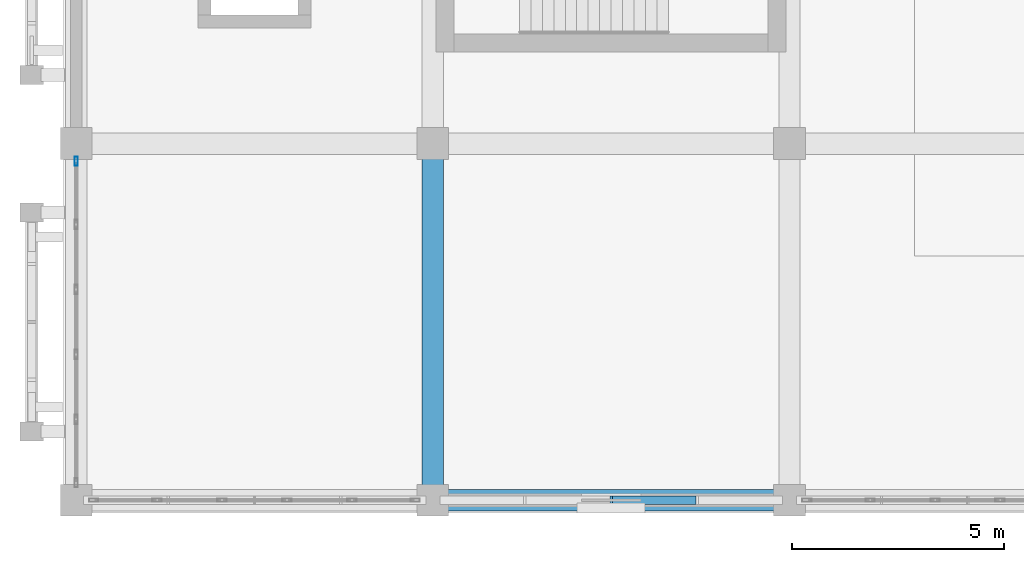
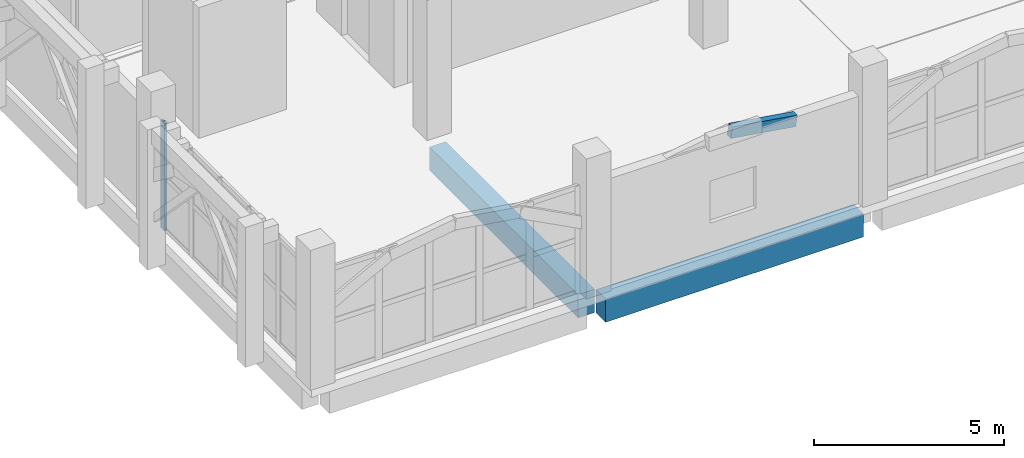
# One storey, part 3 of 34: 2 beams, 2 members, 1 element without a shape of its own.
"""IFC4 building model written with IfcOpenShell, lengths in metres."""

from ifc_helpers import new_model, si_unit, direction, frame, origin, origin_2d, place, context, subcontext, project, spatial, rectangle, hollow_rectangle, extrude, material, layer, layer_set, material_profile, profile_set, type_object, element, aggregate, save


model = new_model("IFC4")

# Units and contexts
model_context = context("Model", 3, precision=1e-05, world=origin(), true_north=direction((0.0, 1.0)))
body_context = subcontext(model_context, "Body", "Model", "MODEL_VIEW")
ifc_project = project(units=[si_unit("LENGTHUNIT", "METRE"), si_unit("AREAUNIT", "SQUARE_METRE"), si_unit("VOLUMEUNIT", "CUBIC_METRE"), si_unit("PLANEANGLEUNIT", "RADIAN"), si_unit("MASSUNIT", "GRAM", prefix="KILO")], contexts=[model_context])

# Site, building, storey
site_placement = place(None, origin())
site = spatial("IfcSite", under=ifc_project, at=site_placement, CompositionType="ELEMENT")
building_placement = place(site_placement, origin())
building = spatial("IfcBuilding", under=site, at=building_placement, Name="Xazarin Passage Department Store", CompositionType="ELEMENT")
storey_placement = place(building_placement, frame((0.0, 0.0, 18.89990234375)))
storey = spatial("IfcBuildingStorey", under=building, at=storey_placement, Name="L04", CompositionType="ELEMENT", Elevation=18.89990234375)

# Curtain wall, member
ifc_material_1 = material(Name="Bronze anodised aluminium", Category="aluminium")
ifc_layer = layer(ifc_material_1, 0.199951171875)
ifc_layer_set = layer_set([ifc_layer], Name="Bronze anodised aluminium")
curtain_wall_type = type_object("IfcCurtainWallType", Name="ARC-CW-VIT2", PredefinedType="NOTDEFINED", material=ifc_layer_set)
curtain_wall_placement = place(storey_placement, origin())
curtain_wall = element("IfcCurtainWall", 1, at=curtain_wall_placement, inside=storey, type_object=curtain_wall_type, Name="L04 V1 Curtain Wall 072", PredefinedType="NOTDEFINED")
ifc_material_profile_1 = material_profile(ifc_material_1, hollow_rectangle(XDim=0.074951171875, YDim=0.219970703125, WallThickness=0.0048828125, at=origin_2d()), Name="ALU 75x220")
ifc_profile_set_1 = profile_set([ifc_material_profile_1], Name="Bronze anodised aluminium")
member_type_1 = type_object("IfcMemberType", Name="ARC-CWM-75x220", PredefinedType="MULLION", material=ifc_profile_set_1)
member_1_placement = place(storey_placement, frame((0.0, 75.987548828125, 0.0), z_axis=(0.0, 0.0, 1.0), x_axis=(-1.0, 0.0, 0.0)))
member_1 = element("IfcMember", 2, at=member_1_placement, type_object=member_type_1, Name="CW2 mullion 6", PredefinedType="MULLION", context=body_context, shape_type="SweptSolid", body=[
    extrude(hollow_rectangle(XDim=0.074951171875, YDim=0.219970703125, WallThickness=0.0048828125, at=origin_2d()), origin(), (0.0, 0.0, 1.0), 3.4501953125),
])
aggregate(curtain_wall, [member_1])

# Beams
ifc_material_2 = material(Name="Concrete C35/45", Category="concrete")
ifc_material_profile_2 = material_profile(ifc_material_2, rectangle(XDim=0.5, YDim=0.75, at=origin_2d()), Name="RC 500x750")
ifc_profile_set_2 = profile_set([ifc_material_profile_2], Name="Concrete C35/45")
beam_type = type_object("IfcBeamType", Name="STR-BM-SP500x750", PredefinedType="SPANDREL", material=ifc_profile_set_2)
for number, where, z_axis, x_axis, name in (
    (3, (8.679931640625, 68.0, -0.6748046875), (1.0, 0.0, 0.0), (0.0, 1.0, 0.0), "L04 Grid Beam K/2-3"),
    (4, (8.39990234375, 68.280029296875, -0.6748046875), (0.0, 1.0, 0.0), (-1.0, 0.0, 0.0), "L04 Grid Beam 2/K-L"),
):
    element("IfcBeam", number, at=place(storey_placement, frame(where, z_axis=z_axis, x_axis=x_axis)), inside=storey, type_object=beam_type, Name=name, PredefinedType="SPANDREL", context=body_context, shape_type="SweptSolid", body=[
        extrude(rectangle(XDim=0.5, YDim=0.75, at=origin_2d()), origin(), (0.0, 0.0, 1.0), 7.840087890625),
    ])

# Member
ifc_material_3 = material(Name="Concrete C40/50", Category="concrete")
ifc_material_profile_3 = material_profile(ifc_material_3, rectangle(XDim=0.199951171875, YDim=0.360107421875, at=origin_2d()), Name="RC 200x360")
ifc_profile_set_3 = profile_set([ifc_material_profile_3], Name="Concrete C40/50")
member_type_2 = type_object("IfcMemberType", Name="STR-MEM-ARC360", PredefinedType="CHORD", material=ifc_profile_set_3)
member_2_placement = place(storey_placement, frame((12.60009765625, 68.0, 3.580078125), z_axis=(0.987935652704, 0.0, -0.154864928623), x_axis=(0.0, 1.0, 0.0)))
element("IfcMember", 5, at=member_2_placement, inside=storey, type_object=member_type_2, Name="L04 V1 Upper Setback Pierced Arch 021.3", PredefinedType="CHORD", context=body_context, shape_type="SweptSolid", body=[
    extrude(rectangle(XDim=0.199951171875, YDim=0.360107421875, at=origin_2d()), origin(), (0.0, 0.0, 1.0), 1.9990234375),
])

save(model, "model.ifc")
